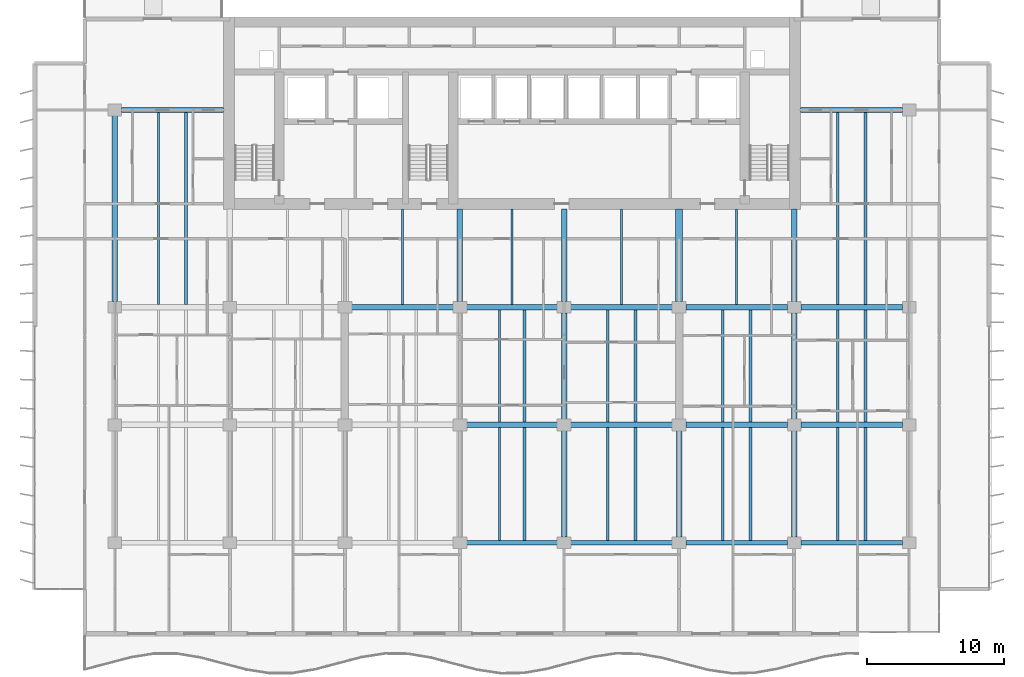
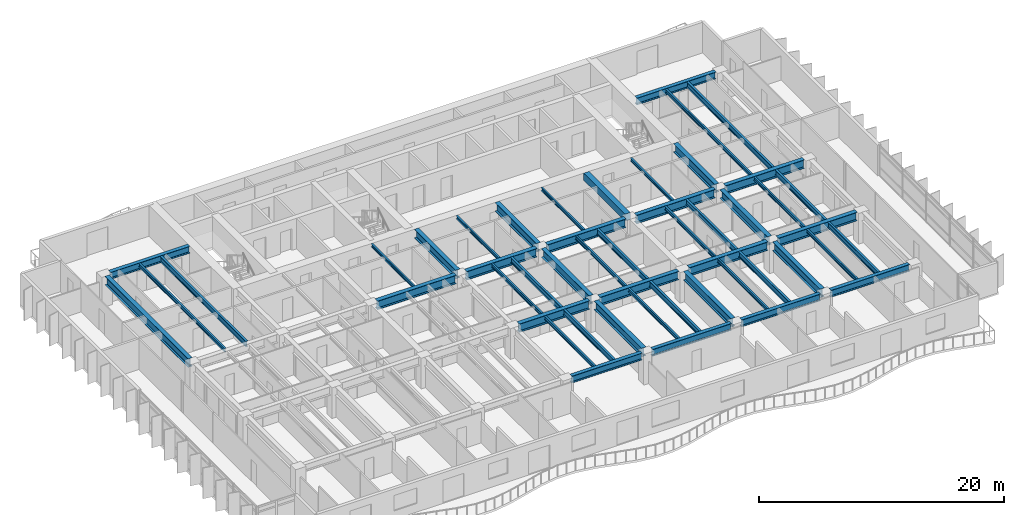
# One storey, part 3 of 17: 49 beams.
"""IFC4 building model written with IfcOpenShell, lengths in metres."""

from ifc_helpers import new_model, si_unit, direction, frame, origin, origin_2d, place, context, subcontext, project, spatial, rectangle, i_section, extrude, material, material_profile, profile_set, type_object, element, save


model = new_model("IFC4")

# Units and contexts
model_context = context("Model", 3, precision=1e-05, world=origin(), true_north=direction((0.0, 1.0)))
body_context = subcontext(model_context, "Body", "Model", "MODEL_VIEW")
ifc_project = project(units=[si_unit("LENGTHUNIT", "METRE"), si_unit("AREAUNIT", "SQUARE_METRE"), si_unit("VOLUMEUNIT", "CUBIC_METRE"), si_unit("PLANEANGLEUNIT", "RADIAN"), si_unit("MASSUNIT", "GRAM", prefix="KILO")], contexts=[model_context])

# Site, building, storey
site_placement = place(None, origin())
site = spatial("IfcSite", under=ifc_project, at=site_placement, CompositionType="ELEMENT")
building_placement = place(site_placement, origin())
building = spatial("IfcBuilding", under=site, at=building_placement, Name="Caelmar Bay Residences", CompositionType="ELEMENT")
storey_placement = place(building_placement, frame((0.0, 0.0, 87.89990234375)))
storey = spatial("IfcBuildingStorey", under=building, at=storey_placement, Name="L23", CompositionType="ELEMENT", Elevation=87.89990234375)

# Beams
ifc_material_1 = material(Name="Steel ASTM A992 Grade 50", Category="steel")
ifc_material_profile_1 = material_profile(ifc_material_1, i_section(OverallWidth=0.40087890625, OverallDepth=0.861083984375, WebThickness=0.019775390625, FlangeThickness=0.032470703125, FilletRadius=0.017822265625, at=origin_2d()), Name="W33X221")
ifc_profile_set_1 = profile_set([ifc_material_profile_1], Name="Steel ASTM A992 Grade 50")
beam_type_1 = type_object("IfcBeamType", Name="BM-GRD-W33X221", PredefinedType="BEAM", material=ifc_profile_set_1)
beam_1_placement = place(storey_placement, frame((35.590087890625, 20.800048828125, 2.61962890625), z_axis=(1.0, 0.0, 0.0), x_axis=(0.0, 1.0, 0.0)))
element("IfcBeam", 1, at=beam_1_placement, inside=storey, type_object=beam_type_1, Name="L23 East-West Girder Y=20.80 (35.1-42.7)", PredefinedType="BEAM", context=body_context, shape_type="SweptSolid", body=[
    extrude(i_section(OverallWidth=0.40087890625, OverallDepth=0.861083984375, WebThickness=0.019775390625, FlangeThickness=0.032470703125, FilletRadius=0.017822265625, at=origin_2d()), origin(), (0.0, 0.0, 1.0), 6.619873046875),
])
beam_2_placement = place(storey_placement, frame((43.18994140625, 20.800048828125, 2.61962890625), z_axis=(1.0, 0.0, 0.0), x_axis=(0.0, 1.0, 0.0)))
element("IfcBeam", 2, at=beam_2_placement, inside=storey, type_object=beam_type_1, Name="L23 East-West Girder Y=20.80 (42.7-51.1)", PredefinedType="BEAM", context=body_context, shape_type="SweptSolid", body=[
    extrude(i_section(OverallWidth=0.40087890625, OverallDepth=0.861083984375, WebThickness=0.019775390625, FlangeThickness=0.032470703125, FilletRadius=0.017822265625, at=origin_2d()), origin(), (0.0, 0.0, 1.0), 7.420166015625),
])
for number, where, z_axis, x_axis, name in (
    (3, (51.590087890625, 20.800048828125, 2.61962890625), (1.0, 0.0, 0.0), (0.0, 1.0, 0.0), "L23 East-West Girder Y=20.80 (51.1-59.5)"),
    (4, (59.989990234375, 20.800048828125, 2.61962890625), (1.0, 0.0, 0.0), (0.0, 1.0, 0.0), "L23 East-West Girder Y=20.80 (59.5-67.9)"),
):
    element("IfcBeam", number, at=place(storey_placement, frame(where, z_axis=z_axis, x_axis=x_axis)), inside=storey, type_object=beam_type_1, Name=name, PredefinedType="BEAM", context=body_context, shape_type="SweptSolid", body=[
        extrude(i_section(OverallWidth=0.40087890625, OverallDepth=0.861083984375, WebThickness=0.019775390625, FlangeThickness=0.032470703125, FilletRadius=0.017822265625, at=origin_2d()), origin(), (0.0, 0.0, 1.0), 7.419921875),
    ])
beam_3_placement = place(storey_placement, frame((27.18994140625, 29.39990234375, 2.61962890625), z_axis=(1.0, 0.0, 0.0), x_axis=(0.0, 1.0, 0.0)))
element("IfcBeam", 5, at=beam_3_placement, inside=storey, type_object=beam_type_1, Name="L23 East-West Girder Y=29.40 (26.7-35.1)", PredefinedType="BEAM", context=body_context, shape_type="SweptSolid", body=[
    extrude(i_section(OverallWidth=0.40087890625, OverallDepth=0.861083984375, WebThickness=0.019775390625, FlangeThickness=0.032470703125, FilletRadius=0.017822265625, at=origin_2d()), origin(), (0.0, 0.0, 1.0), 7.420166015625),
])
beam_4_placement = place(storey_placement, frame((35.590087890625, 29.39990234375, 2.61962890625), z_axis=(1.0, 0.0, 0.0), x_axis=(0.0, 1.0, 0.0)))
element("IfcBeam", 6, at=beam_4_placement, inside=storey, type_object=beam_type_1, Name="L23 East-West Girder Y=29.40 (35.1-42.7)", PredefinedType="BEAM", context=body_context, shape_type="SweptSolid", body=[
    extrude(i_section(OverallWidth=0.40087890625, OverallDepth=0.861083984375, WebThickness=0.019775390625, FlangeThickness=0.032470703125, FilletRadius=0.017822265625, at=origin_2d()), origin(), (0.0, 0.0, 1.0), 6.619873046875),
])
beam_5_placement = place(storey_placement, frame((43.18994140625, 29.39990234375, 2.61962890625), z_axis=(1.0, 0.0, 0.0), x_axis=(0.0, 1.0, 0.0)))
element("IfcBeam", 7, at=beam_5_placement, inside=storey, type_object=beam_type_1, Name="L23 East-West Girder Y=29.40 (42.7-51.1)", PredefinedType="BEAM", context=body_context, shape_type="SweptSolid", body=[
    extrude(i_section(OverallWidth=0.40087890625, OverallDepth=0.861083984375, WebThickness=0.019775390625, FlangeThickness=0.032470703125, FilletRadius=0.017822265625, at=origin_2d()), origin(), (0.0, 0.0, 1.0), 7.420166015625),
])
for number, where, z_axis, x_axis, name in (
    (8, (51.590087890625, 29.39990234375, 2.61962890625), (1.0, 0.0, 0.0), (0.0, 1.0, 0.0), "L23 East-West Girder Y=29.40 (51.1-59.5)"),
    (9, (59.989990234375, 29.39990234375, 2.61962890625), (1.0, 0.0, 0.0), (0.0, 1.0, 0.0), "L23 East-West Girder Y=29.40 (59.5-67.9)"),
):
    element("IfcBeam", number, at=place(storey_placement, frame(where, z_axis=z_axis, x_axis=x_axis)), inside=storey, type_object=beam_type_1, Name=name, PredefinedType="BEAM", context=body_context, shape_type="SweptSolid", body=[
        extrude(i_section(OverallWidth=0.40087890625, OverallDepth=0.861083984375, WebThickness=0.019775390625, FlangeThickness=0.032470703125, FilletRadius=0.017822265625, at=origin_2d()), origin(), (0.0, 0.0, 1.0), 7.419921875),
    ])
beam_6_placement = place(storey_placement, frame((9.89990234375, 29.81494140625, 2.61962890625), z_axis=(0.0, 1.0, 0.0), x_axis=(-1.0, 0.0, 0.0)))
element("IfcBeam", 10, at=beam_6_placement, inside=storey, type_object=beam_type_1, Name="L23 North-South Girder X=9.90 (29.4-43.8)", PredefinedType="BEAM", context=body_context, shape_type="SweptSolid", body=[
    extrude(i_section(OverallWidth=0.40087890625, OverallDepth=0.861083984375, WebThickness=0.019775390625, FlangeThickness=0.032470703125, FilletRadius=0.017822265625, at=origin_2d()), origin(), (0.0, 0.0, 1.0), 13.570068359375),
])
for number, where, z_axis, x_axis, name in (
    (11, (35.10009765625, 29.81494140625, 2.61962890625), (0.0, 1.0, 0.0), (-1.0, 0.0, 0.0), "L23 Core Tie Girder X=35.10"),
    (12, (42.699951171875, 29.81494140625, 2.61962890625), (0.0, 1.0, 0.0), (-1.0, 0.0, 0.0), "L23 Core Tie Girder X=42.70"),
):
    element("IfcBeam", number, at=place(storey_placement, frame(where, z_axis=z_axis, x_axis=x_axis)), inside=storey, type_object=beam_type_1, Name=name, PredefinedType="BEAM", context=body_context, shape_type="SweptSolid", body=[
        extrude(i_section(OverallWidth=0.40087890625, OverallDepth=0.861083984375, WebThickness=0.019775390625, FlangeThickness=0.032470703125, FilletRadius=0.017822265625, at=origin_2d()), origin(), (0.0, 0.0, 1.0), 6.735107421875),
    ])
for number, where, z_axis, x_axis, name in (
    (13, (42.699951171875, 12.614990234375, 2.61962890625), (0.0, 1.0, 0.0), (-1.0, 0.0, 0.0), "L23 North-South Girder X=42.70 (12.2-20.8)"),
    (14, (42.699951171875, 21.215087890625, 2.61962890625), (0.0, 1.0, 0.0), (-1.0, 0.0, 0.0), "L23 North-South Girder X=42.70 (20.8-29.4)"),
    (15, (51.10009765625, 12.614990234375, 2.61962890625), (0.0, 1.0, 0.0), (-1.0, 0.0, 0.0), "L23 North-South Girder X=51.10 (12.2-20.8)"),
):
    element("IfcBeam", number, at=place(storey_placement, frame(where, z_axis=z_axis, x_axis=x_axis)), inside=storey, type_object=beam_type_1, Name=name, PredefinedType="BEAM", context=body_context, shape_type="SweptSolid", body=[
        extrude(i_section(OverallWidth=0.40087890625, OverallDepth=0.861083984375, WebThickness=0.019775390625, FlangeThickness=0.032470703125, FilletRadius=0.017822265625, at=origin_2d()), origin(), (0.0, 0.0, 1.0), 7.77001953125),
    ])
beam_7_placement = place(storey_placement, frame((59.5, 29.81494140625, 2.61962890625), z_axis=(0.0, 1.0, 0.0), x_axis=(-1.0, 0.0, 0.0)))
element("IfcBeam", 16, at=beam_7_placement, inside=storey, type_object=beam_type_1, Name="L23 Core Tie Girder X=59.50", PredefinedType="BEAM", context=body_context, shape_type="SweptSolid", body=[
    extrude(i_section(OverallWidth=0.40087890625, OverallDepth=0.861083984375, WebThickness=0.019775390625, FlangeThickness=0.032470703125, FilletRadius=0.017822265625, at=origin_2d()), origin(), (0.0, 0.0, 1.0), 6.735107421875),
])
for number, where, z_axis, x_axis, name in (
    (17, (59.5, 12.614990234375, 2.61962890625), (0.0, 1.0, 0.0), (-1.0, 0.0, 0.0), "L23 North-South Girder X=59.50 (12.2-20.8)"),
    (18, (59.5, 21.215087890625, 2.61962890625), (0.0, 1.0, 0.0), (-1.0, 0.0, 0.0), "L23 North-South Girder X=59.50 (20.8-29.4)"),
):
    element("IfcBeam", number, at=place(storey_placement, frame(where, z_axis=z_axis, x_axis=x_axis)), inside=storey, type_object=beam_type_1, Name=name, PredefinedType="BEAM", context=body_context, shape_type="SweptSolid", body=[
        extrude(i_section(OverallWidth=0.40087890625, OverallDepth=0.861083984375, WebThickness=0.019775390625, FlangeThickness=0.032470703125, FilletRadius=0.017822265625, at=origin_2d()), origin(), (0.0, 0.0, 1.0), 7.77001953125),
    ])
ifc_material_profile_2 = material_profile(ifc_material_1, i_section(OverallWidth=0.1650390625, OverallDepth=0.31005859375, WebThickness=0.005859375, FlangeThickness=0.009765625, FilletRadius=0.007568359375, at=origin_2d()), Name="W12X26")
ifc_profile_set_2 = profile_set([ifc_material_profile_2], Name="Steel ASTM A992 Grade 50")
beam_type_2 = type_object("IfcBeamType", Name="BM-JST-W12X26", PredefinedType="JOIST", material=ifc_profile_set_2)
for number, where, z_axis, x_axis, name in (
    (19, (30.89990234375, 29.6005859375, 2.89501953125), (0.0, 1.0, 0.0), (-1.0, 0.0, 0.0), "L23 Core-Band Composite Joist 30"),
    (20, (38.89990234375, 29.6005859375, 2.89501953125), (0.0, 1.0, 0.0), (-1.0, 0.0, 0.0), "L23 Core-Band Composite Joist 31"),
    (21, (46.89990234375, 29.6005859375, 2.89501953125), (0.0, 1.0, 0.0), (-1.0, 0.0, 0.0), "L23 Core-Band Composite Joist 32"),
    (22, (55.300048828125, 29.6005859375, 2.89501953125), (0.0, 1.0, 0.0), (-1.0, 0.0, 0.0), "L23 Core-Band Composite Joist 33"),
):
    element("IfcBeam", number, at=place(storey_placement, frame(where, z_axis=z_axis, x_axis=x_axis)), inside=storey, type_object=beam_type_2, Name=name, PredefinedType="JOIST", context=body_context, shape_type="SweptSolid", body=[
        extrude(i_section(OverallWidth=0.1650390625, OverallDepth=0.31005859375, WebThickness=0.005859375, FlangeThickness=0.009765625, FilletRadius=0.007568359375, at=origin_2d()), origin(), (0.0, 0.0, 1.0), 6.949462890625),
    ])
ifc_material_profile_3 = material_profile(ifc_material_1, i_section(OverallWidth=0.1708984375, OverallDepth=0.35595703125, WebThickness=0.007080078125, FlangeThickness=0.01171875, FilletRadius=0.007568359375, at=origin_2d()), Name="W14X34")
ifc_profile_set_3 = profile_set([ifc_material_profile_3], Name="Steel ASTM A992 Grade 50")
beam_type_3 = type_object("IfcBeamType", Name="BM-JST-W14X34", PredefinedType="JOIST", material=ifc_profile_set_3)
for number, where, z_axis, x_axis, name in (
    (23, (37.988037109375, 12.3779296875, 2.8720703125), (0.0, 1.0, 0.0), (-1.0, 0.0, 0.0), "L23 Composite Floor Joist 7"),
    (24, (45.89208984375, 12.3779296875, 2.8720703125), (0.0, 1.0, 0.0), (-1.0, 0.0, 0.0), "L23 Composite Floor Joist 9"),
    (25, (54.2919921875, 12.3779296875, 2.8720703125), (0.0, 1.0, 0.0), (-1.0, 0.0, 0.0), "L23 Composite Floor Joist 11"),
    (26, (62.69189453125, 12.3779296875, 2.8720703125), (0.0, 1.0, 0.0), (-1.0, 0.0, 0.0), "L23 Composite Floor Joist 13"),
):
    element("IfcBeam", number, at=place(storey_placement, frame(where, z_axis=z_axis, x_axis=x_axis)), inside=storey, type_object=beam_type_3, Name=name, PredefinedType="JOIST", context=body_context, shape_type="SweptSolid", body=[
        extrude(i_section(OverallWidth=0.1708984375, OverallDepth=0.35595703125, WebThickness=0.007080078125, FlangeThickness=0.01171875, FilletRadius=0.007568359375, at=origin_2d()), origin(), (0.0, 0.0, 1.0), 8.2216796875),
    ])
for number, where, z_axis, x_axis, name in (
    (27, (37.988037109375, 21.00048828125, 2.8720703125), (0.0, 1.0, 0.0), (-1.0, 0.0, 0.0), "L23 Composite Floor Joist 21"),
    (28, (45.89208984375, 21.00048828125, 2.8720703125), (0.0, 1.0, 0.0), (-1.0, 0.0, 0.0), "L23 Composite Floor Joist 23"),
    (29, (54.2919921875, 21.00048828125, 2.8720703125), (0.0, 1.0, 0.0), (-1.0, 0.0, 0.0), "L23 Composite Floor Joist 25"),
    (30, (62.69189453125, 21.00048828125, 2.8720703125), (0.0, 1.0, 0.0), (-1.0, 0.0, 0.0), "L23 Composite Floor Joist 27"),
):
    element("IfcBeam", number, at=place(storey_placement, frame(where, z_axis=z_axis, x_axis=x_axis)), inside=storey, type_object=beam_type_3, Name=name, PredefinedType="JOIST", context=body_context, shape_type="SweptSolid", body=[
        extrude(i_section(OverallWidth=0.1708984375, OverallDepth=0.35595703125, WebThickness=0.007080078125, FlangeThickness=0.01171875, FilletRadius=0.007568359375, at=origin_2d()), origin(), (0.0, 0.0, 1.0), 8.198974609375),
    ])
for number, where, z_axis, x_axis, name in (
    (31, (13.092041015625, 29.6005859375, 2.8720703125), (0.0, 1.0, 0.0), (-1.0, 0.0, 0.0), "L23 Composite Floor Joist 34"),
    (32, (62.69189453125, 29.6005859375, 2.8720703125), (0.0, 1.0, 0.0), (-1.0, 0.0, 0.0), "L23 Composite Floor Joist 36"),
):
    element("IfcBeam", number, at=place(storey_placement, frame(where, z_axis=z_axis, x_axis=x_axis)), inside=storey, type_object=beam_type_3, Name=name, PredefinedType="JOIST", context=body_context, shape_type="SweptSolid", body=[
        extrude(i_section(OverallWidth=0.1708984375, OverallDepth=0.35595703125, WebThickness=0.007080078125, FlangeThickness=0.01171875, FilletRadius=0.007568359375, at=origin_2d()), origin(), (0.0, 0.0, 1.0), 14.021484375),
    ])
ifc_material_profile_4 = material_profile(ifc_material_1, i_section(OverallWidth=0.2099609375, OverallDepth=0.535888671875, WebThickness=0.010986328125, FlangeThickness=0.017333984375, FilletRadius=0.0126953125, at=origin_2d()), Name="W21X68")
ifc_profile_set_4 = profile_set([ifc_material_profile_4], Name="Steel ASTM A992 Grade 50")
beam_type_4 = type_object("IfcBeamType", Name="BM-JST-W21X68", PredefinedType="JOIST", material=ifc_profile_set_4)
for number, where, z_axis, x_axis, name in (
    (33, (39.81201171875, 12.3779296875, 2.781982421875), (0.0, 1.0, 0.0), (-1.0, 0.0, 0.0), "L23 Composite Floor Joist 8"),
    (34, (47.907958984375, 12.3779296875, 2.781982421875), (0.0, 1.0, 0.0), (-1.0, 0.0, 0.0), "L23 Composite Floor Joist 10"),
    (35, (56.30810546875, 12.3779296875, 2.781982421875), (0.0, 1.0, 0.0), (-1.0, 0.0, 0.0), "L23 Composite Floor Joist 12"),
    (36, (64.7080078125, 12.3779296875, 2.781982421875), (0.0, 1.0, 0.0), (-1.0, 0.0, 0.0), "L23 Composite Floor Joist 14"),
):
    element("IfcBeam", number, at=place(storey_placement, frame(where, z_axis=z_axis, x_axis=x_axis)), inside=storey, type_object=beam_type_4, Name=name, PredefinedType="JOIST", context=body_context, shape_type="SweptSolid", body=[
        extrude(i_section(OverallWidth=0.2099609375, OverallDepth=0.535888671875, WebThickness=0.010986328125, FlangeThickness=0.017333984375, FilletRadius=0.0126953125, at=origin_2d()), origin(), (0.0, 0.0, 1.0), 8.2216796875),
    ])
for number, where, z_axis, x_axis, name in (
    (37, (39.81201171875, 21.00048828125, 2.781982421875), (0.0, 1.0, 0.0), (-1.0, 0.0, 0.0), "L23 Composite Floor Joist 22"),
    (38, (47.907958984375, 21.00048828125, 2.781982421875), (0.0, 1.0, 0.0), (-1.0, 0.0, 0.0), "L23 Composite Floor Joist 24"),
    (39, (56.30810546875, 21.00048828125, 2.781982421875), (0.0, 1.0, 0.0), (-1.0, 0.0, 0.0), "L23 Composite Floor Joist 26"),
    (40, (64.7080078125, 21.00048828125, 2.781982421875), (0.0, 1.0, 0.0), (-1.0, 0.0, 0.0), "L23 Composite Floor Joist 28"),
):
    element("IfcBeam", number, at=place(storey_placement, frame(where, z_axis=z_axis, x_axis=x_axis)), inside=storey, type_object=beam_type_4, Name=name, PredefinedType="JOIST", context=body_context, shape_type="SweptSolid", body=[
        extrude(i_section(OverallWidth=0.2099609375, OverallDepth=0.535888671875, WebThickness=0.010986328125, FlangeThickness=0.017333984375, FilletRadius=0.0126953125, at=origin_2d()), origin(), (0.0, 0.0, 1.0), 8.198974609375),
    ])
for number, where, z_axis, x_axis, name in (
    (41, (15.10791015625, 29.6005859375, 2.781982421875), (0.0, 1.0, 0.0), (-1.0, 0.0, 0.0), "L23 Composite Floor Joist 35"),
    (42, (64.7080078125, 29.6005859375, 2.781982421875), (0.0, 1.0, 0.0), (-1.0, 0.0, 0.0), "L23 Composite Floor Joist 37"),
):
    element("IfcBeam", number, at=place(storey_placement, frame(where, z_axis=z_axis, x_axis=x_axis)), inside=storey, type_object=beam_type_4, Name=name, PredefinedType="JOIST", context=body_context, shape_type="SweptSolid", body=[
        extrude(i_section(OverallWidth=0.2099609375, OverallDepth=0.535888671875, WebThickness=0.010986328125, FlangeThickness=0.017333984375, FilletRadius=0.0126953125, at=origin_2d()), origin(), (0.0, 0.0, 1.0), 14.021484375),
    ])
ifc_material_2 = material(Name="Concrete f'c 55 MPa (8,000 psi)", Category="concrete")
ifc_material_profile_5 = material_profile(ifc_material_2, rectangle(XDim=0.5, YDim=0.699951171875, at=origin_2d()), Name="RC-BM-500X700")
ifc_profile_set_5 = profile_set([ifc_material_profile_5], Name="Concrete f'c 55 MPa (8,000 psi)")
beam_type_5 = type_object("IfcBeamType", Name="BM-RC-500X700", PredefinedType="LINTEL", material=ifc_profile_set_5)
beam_8_placement = place(storey_placement, frame((51.10009765625, 29.81494140625, 2.7001953125), z_axis=(0.0, 1.0, 0.0), x_axis=(-1.0, 0.0, 0.0)))
element("IfcBeam", 43, at=beam_8_placement, inside=storey, type_object=beam_type_5, Name="L23 Shear-Wall Corridor Coupling Lintel E8", PredefinedType="LINTEL", context=body_context, shape_type="SweptSolid", body=[
    extrude(rectangle(XDim=0.5, YDim=0.699951171875, at=origin_2d()), origin(), (0.0, 0.0, 1.0), 6.735107421875),
])
ifc_material_profile_6 = material_profile(ifc_material_1, i_section(OverallWidth=0.35595703125, OverallDepth=0.696044921875, WebThickness=0.015380859375, FlangeThickness=0.02490234375, FilletRadius=0.01513671875, at=origin_2d()), Name="W27X146")
ifc_profile_set_6 = profile_set([ifc_material_profile_6], Name="Steel ASTM A992 Grade 50")
beam_type_6 = type_object("IfcBeamType", Name="BM-SPN-W27X146", PredefinedType="SPANDREL", material=ifc_profile_set_6)
beam_9_placement = place(storey_placement, frame((35.590087890625, 12.199951171875, 2.7021484375), z_axis=(1.0, 0.0, 0.0), x_axis=(0.0, 1.0, 0.0)))
element("IfcBeam", 44, at=beam_9_placement, inside=storey, type_object=beam_type_6, Name="L23 East-West Girder Y=12.20 (35.1-42.7)", PredefinedType="SPANDREL", context=body_context, shape_type="SweptSolid", body=[
    extrude(i_section(OverallWidth=0.35595703125, OverallDepth=0.696044921875, WebThickness=0.015380859375, FlangeThickness=0.02490234375, FilletRadius=0.01513671875, at=origin_2d()), origin(), (0.0, 0.0, 1.0), 6.619873046875),
])
beam_10_placement = place(storey_placement, frame((43.18994140625, 12.199951171875, 2.7021484375), z_axis=(1.0, 0.0, 0.0), x_axis=(0.0, 1.0, 0.0)))
element("IfcBeam", 45, at=beam_10_placement, inside=storey, type_object=beam_type_6, Name="L23 East-West Girder Y=12.20 (42.7-51.1)", PredefinedType="SPANDREL", context=body_context, shape_type="SweptSolid", body=[
    extrude(i_section(OverallWidth=0.35595703125, OverallDepth=0.696044921875, WebThickness=0.015380859375, FlangeThickness=0.02490234375, FilletRadius=0.01513671875, at=origin_2d()), origin(), (0.0, 0.0, 1.0), 7.420166015625),
])
for number, where, z_axis, x_axis, name in (
    (46, (51.590087890625, 12.199951171875, 2.7021484375), (1.0, 0.0, 0.0), (0.0, 1.0, 0.0), "L23 East-West Girder Y=12.20 (51.1-59.5)"),
    (47, (59.989990234375, 12.199951171875, 2.7021484375), (1.0, 0.0, 0.0), (0.0, 1.0, 0.0), "L23 East-West Girder Y=12.20 (59.5-67.9)"),
):
    element("IfcBeam", number, at=place(storey_placement, frame(where, z_axis=z_axis, x_axis=x_axis)), inside=storey, type_object=beam_type_6, Name=name, PredefinedType="SPANDREL", context=body_context, shape_type="SweptSolid", body=[
        extrude(i_section(OverallWidth=0.35595703125, OverallDepth=0.696044921875, WebThickness=0.015380859375, FlangeThickness=0.02490234375, FilletRadius=0.01513671875, at=origin_2d()), origin(), (0.0, 0.0, 1.0), 7.419921875),
    ])
beam_11_placement = place(storey_placement, frame((10.389892578125, 43.800048828125, 2.7021484375), z_axis=(1.0, 0.0, 0.0), x_axis=(0.0, 1.0, 0.0)))
element("IfcBeam", 48, at=beam_11_placement, inside=storey, type_object=beam_type_6, Name="L23 North-West Wing Core Tie Girder", PredefinedType="SPANDREL", context=body_context, shape_type="SweptSolid", body=[
    extrude(i_section(OverallWidth=0.35595703125, OverallDepth=0.696044921875, WebThickness=0.015380859375, FlangeThickness=0.02490234375, FilletRadius=0.01513671875, at=origin_2d()), origin(), (0.0, 0.0, 1.0), 7.460205078125),
])
beam_12_placement = place(storey_placement, frame((59.949951171875, 43.800048828125, 2.7021484375), z_axis=(1.0, 0.0, 0.0), x_axis=(0.0, 1.0, 0.0)))
element("IfcBeam", 49, at=beam_12_placement, inside=storey, type_object=beam_type_6, Name="L23 North-East Wing Core Tie Girder", PredefinedType="SPANDREL", context=body_context, shape_type="SweptSolid", body=[
    extrude(i_section(OverallWidth=0.35595703125, OverallDepth=0.696044921875, WebThickness=0.015380859375, FlangeThickness=0.02490234375, FilletRadius=0.01513671875, at=origin_2d()), origin(), (0.0, 0.0, 1.0), 7.4599609375),
])

save(model, "model.ifc")
